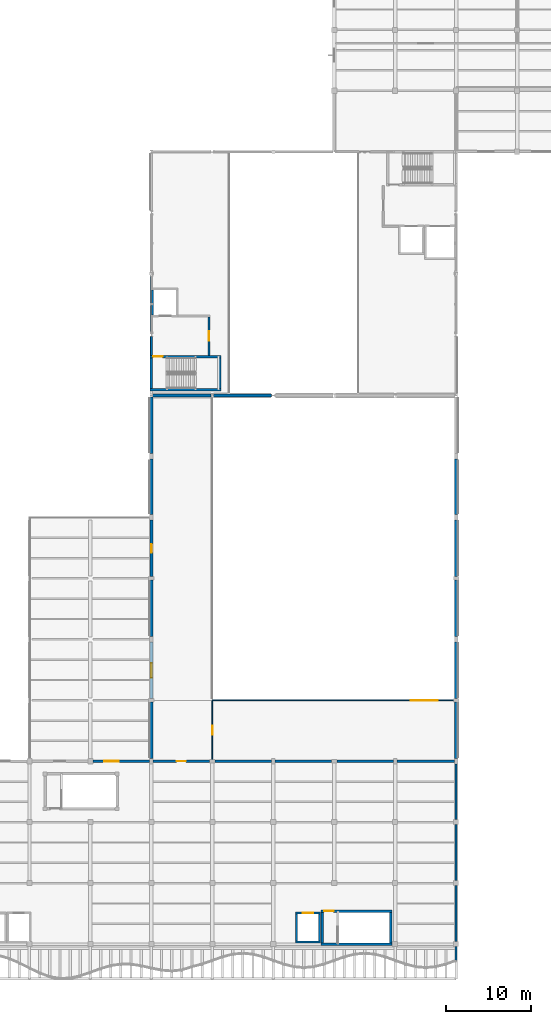
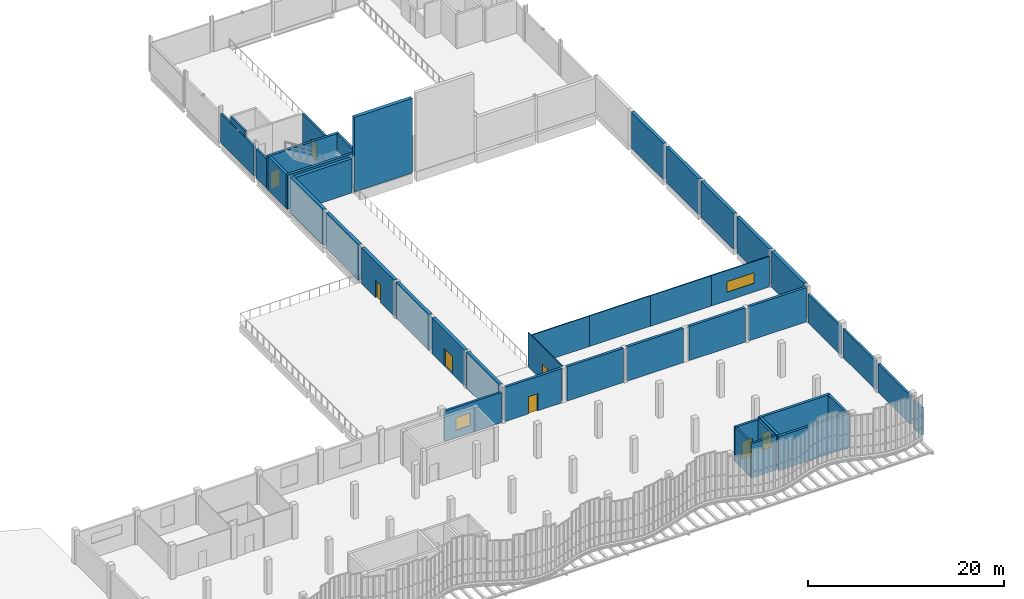
# One storey, part 67 of 76: 44 walls, 8 doors, 2 windows, 10 openings.
"""IFC4 building model written with IfcOpenShell, lengths in metres."""

from ifc_helpers import new_model, si_unit, direction, frame, frame_2d, origin, place, context, subcontext, project, spatial, rectangle, extrude, material, layer, layer_set, type_object, element, fill, save


model = new_model("IFC4")

# Units and contexts
model_context = context("Model", 3, precision=1e-05, world=origin(), true_north=direction((0.0, 1.0)))
body_context = subcontext(model_context, "Body", "Model", "MODEL_VIEW")
ifc_project = project(units=[si_unit("LENGTHUNIT", "METRE"), si_unit("AREAUNIT", "SQUARE_METRE"), si_unit("VOLUMEUNIT", "CUBIC_METRE"), si_unit("PLANEANGLEUNIT", "RADIAN"), si_unit("MASSUNIT", "GRAM", prefix="KILO"), si_unit("THERMODYNAMICTEMPERATUREUNIT", "KELVIN"), si_unit("POWERUNIT", "WATT")], contexts=[model_context])

# Site, building, storey
site_placement = place(None, origin())
site = spatial("IfcSite", under=ifc_project, at=site_placement, CompositionType="ELEMENT")
building_placement = place(site_placement, origin())
building = spatial("IfcBuilding", under=site, at=building_placement, Name="Kaldorven Railside Theatre", CompositionType="ELEMENT")
storey_placement = place(building_placement, frame((0.0, 0.0, 14.39990234375)))
storey = spatial("IfcBuildingStorey", under=building, at=storey_placement, Name="L03", CompositionType="ELEMENT", Elevation=14.39990234375)

# Wall
ifc_material_1 = material(Name="Architectural concrete C40/50", Category="concrete")
ifc_layer_1 = layer(ifc_material_1, 0.3798828125, Name="Architectural concrete C40/50")
ifc_layer_set_1 = layer_set([ifc_layer_1], Name="Architectural concrete C40/50")
wall_type_1 = type_object("IfcWallType", Name="WL-EW02", PredefinedType="SHEAR", material=ifc_layer_set_1)
wall_1_placement = place(storey_placement, frame((87.199951171875, 41.125, 0.0), z_axis=(0.0, 0.0, 1.0), x_axis=(0.0, 1.0, 0.0)))
element("IfcWall", 1, at=wall_1_placement, inside=storey, type_object=wall_type_1, Name="V1 L03 Exterior Wall EW-0257", PredefinedType="SHEAR", context=body_context, shape_type="SweptSolid", body=[
    extrude(rectangle(XDim=6.675048828125, YDim=0.3798828125, at=frame_2d((3.33740234375, 0.0))), origin(), (0.0, 0.0, 1.0), 4.5),
])

# Wall, opening, door
wall_2_placement = place(storey_placement, frame((87.199951171875, 48.199951171875, 0.0), z_axis=(0.0, 0.0, 1.0), x_axis=(0.0, 1.0, 0.0)))
wall_2 = element("IfcWall", 2, at=wall_2_placement, inside=storey, type_object=wall_type_1, Name="V1 L03 Exterior Wall EW-0258", PredefinedType="SHEAR", context=body_context, shape_type="SweptSolid", body=[
    extrude(rectangle(XDim=6.675048828125, YDim=0.3798828125, at=frame_2d((3.33740234375, 0.0))), origin(), (0.0, 0.0, 1.0), 4.5),
])
opening_1_placement = place(wall_2_placement, frame((2.487548828125, 0.0, 0.0)))
opening_1 = element("IfcOpeningElement", 3, at=opening_1_placement, cuts=wall_2, Name="Opening ED-014", PredefinedType="OPENING", context=body_context, shape_type="SweptSolid", body=[
    extrude(rectangle(XDim=1.699951171875, YDim=2.199951171875, at=frame_2d((0.85009765625, 1.10009765625))), frame((0.0, 0.199951171875, 0.0), z_axis=(0.0, -1.0, 0.0), x_axis=(1.0, 0.0, 0.0)), (0.0, 0.0, 1.0), 0.39990234375),
])
ifc_material_2 = material(Name="Anodised bronze aluminium", Category="aluminium")
door_type_1 = type_object("IfcDoorType", Name="DR-ED06", OperationType="NOTDEFINED", PredefinedType="DOOR", material=ifc_material_2)
door_1_placement = place(opening_1_placement, origin())
door_1 = element("IfcDoor", 4, at=door_1_placement, inside=storey, type_object=door_type_1, Name="Overlook Terrace Access Door ED-014", OperationType="DOUBLE_DOOR_SINGLE_SWING", OverallHeight=2.199951171875, OverallWidth=1.699951171875, PredefinedType="DOOR", context=body_context, shape_type="SweptSolid", body=[
    extrude(rectangle(XDim=1.699951171875, YDim=2.199951171875, at=frame_2d((0.85009765625, 1.10009765625))), frame((0.0, 0.02490234375, 0.0), z_axis=(0.0, -1.0, 0.0), x_axis=(1.0, 0.0, 0.0)), (0.0, 0.0, 1.0), 0.050048828125),
])
fill(opening_1, door_1)

# Wall
wall_3_placement = place(storey_placement, frame((87.199951171875, 55.52490234375, 0.0), z_axis=(0.0, 0.0, 1.0), x_axis=(0.0, 1.0, 0.0)))
element("IfcWall", 5, at=wall_3_placement, inside=storey, type_object=wall_type_1, Name="V1 L03 Exterior Wall EW-0259", PredefinedType="SHEAR", context=body_context, shape_type="SweptSolid", body=[
    extrude(rectangle(XDim=6.675048828125, YDim=0.3798828125, at=frame_2d((3.33740234375, 0.0))), origin(), (0.0, 0.0, 1.0), 4.5),
])

# Wall, opening, door
wall_4_placement = place(storey_placement, frame((87.199951171875, 62.60009765625, 0.0), z_axis=(0.0, 0.0, 1.0), x_axis=(0.0, 1.0, 0.0)))
wall_4 = element("IfcWall", 6, at=wall_4_placement, inside=storey, type_object=wall_type_1, Name="V1 L03 Exterior Wall EW-0260", PredefinedType="SHEAR", context=body_context, shape_type="SweptSolid", body=[
    extrude(rectangle(XDim=6.6748046875, YDim=0.3798828125, at=frame_2d((3.33740234375, 0.0))), origin(), (0.0, 0.0, 1.0), 4.5),
])
opening_2_placement = place(wall_4_placement, frame((2.83740234375, 0.0, 0.0)))
opening_2 = element("IfcOpeningElement", 7, at=opening_2_placement, cuts=wall_4, Name="Opening ED-015", PredefinedType="OPENING", context=body_context, shape_type="SweptSolid", body=[
    extrude(rectangle(XDim=1.0, YDim=2.14990234375, at=frame_2d((0.5, 1.074951171875))), frame((0.0, 0.199951171875, 0.0), z_axis=(0.0, -1.0, 0.0), x_axis=(1.0, 0.0, 0.0)), (0.0, 0.0, 1.0), 0.39990234375),
])
door_type_2 = type_object("IfcDoorType", Name="DR-ED10", OperationType="NOTDEFINED", PredefinedType="DOOR", material=ifc_material_2)
door_2_placement = place(opening_2_placement, origin())
door_2 = element("IfcDoor", 8, at=door_2_placement, inside=storey, type_object=door_type_2, Name="Overlook Terrace Access Door ED-015", OperationType="SINGLE_SWING_RIGHT", OverallHeight=2.14990234375, OverallWidth=1.0, PredefinedType="DOOR", context=body_context, shape_type="SweptSolid", body=[
    extrude(rectangle(XDim=1.0, YDim=2.14990234375, at=frame_2d((0.5, 1.074951171875))), frame((0.0, 0.02490234375, 0.0), z_axis=(0.0, -1.0, 0.0), x_axis=(1.0, 0.0, 0.0)), (0.0, 0.0, 1.0), 0.050048828125),
])
fill(opening_2, door_2)

# Walls
wall_5_placement = place(storey_placement, frame((87.199951171875, 69.925048828125, 0.0), z_axis=(0.0, 0.0, 1.0), x_axis=(0.0, 1.0, 0.0)))
element("IfcWall", 9, at=wall_5_placement, inside=storey, type_object=wall_type_1, Name="V1 L03 Exterior Wall EW-0261", PredefinedType="SHEAR", context=body_context, shape_type="SweptSolid", body=[
    extrude(rectangle(XDim=6.550048828125, YDim=0.3798828125, at=frame_2d((3.27490234375, 0.0))), origin(), (0.0, 0.0, 1.0), 4.5),
])
wall_6_placement = place(storey_placement, frame((87.199951171875, 77.125, 0.0), z_axis=(0.0, 0.0, 1.0), x_axis=(0.0, 1.0, 0.0)))
element("IfcWall", 10, at=wall_6_placement, inside=storey, type_object=wall_type_1, Name="V1 L03 Exterior Wall EW-0262", PredefinedType="SHEAR", context=body_context, shape_type="SweptSolid", body=[
    extrude(rectangle(XDim=6.720458984375, YDim=0.3798828125, at=frame_2d((3.3603515625, 0.0))), origin(), (0.0, 0.0, 1.0), 4.5),
])
wall_7_placement = place(storey_placement, frame((123.199951171875, 76.47509765625, 0.0), z_axis=(0.0, 0.0, 1.0), x_axis=(0.0, -1.0, 0.0)))
element("IfcWall", 11, at=wall_7_placement, inside=storey, type_object=wall_type_1, Name="V1 L03 Exterior Wall EW-0264", PredefinedType="SHEAR", context=body_context, shape_type="SweptSolid", body=[
    extrude(rectangle(XDim=6.550048828125, YDim=0.3798828125, at=frame_2d((3.27490234375, 0.0))), origin(), (0.0, 0.0, 1.0), 4.5),
])
wall_8_placement = place(storey_placement, frame((123.199951171875, 69.27490234375, 0.0), z_axis=(0.0, 0.0, 1.0), x_axis=(0.0, -1.0, 0.0)))
element("IfcWall", 12, at=wall_8_placement, inside=storey, type_object=wall_type_1, Name="V1 L03 Exterior Wall EW-0265", PredefinedType="SHEAR", context=body_context, shape_type="SweptSolid", body=[
    extrude(rectangle(XDim=6.6748046875, YDim=0.3798828125, at=frame_2d((3.33740234375, 0.0))), origin(), (0.0, 0.0, 1.0), 4.5),
])
for number, where, z_axis, x_axis, name in (
    (13, (123.199951171875, 62.199951171875, 0.0), (0.0, 0.0, 1.0), (0.0, -1.0, 0.0), "V1 L03 Exterior Wall EW-0266"),
    (14, (123.199951171875, 54.875, 0.0), (0.0, 0.0, 1.0), (0.0, -1.0, 0.0), "V1 L03 Exterior Wall EW-0267"),
    (15, (123.199951171875, 47.800048828125, 0.0), (0.0, 0.0, 1.0), (0.0, -1.0, 0.0), "V1 L03 Exterior Wall EW-0268"),
):
    element("IfcWall", number, at=place(storey_placement, frame(where, z_axis=z_axis, x_axis=x_axis)), inside=storey, type_object=wall_type_1, Name=name, PredefinedType="SHEAR", context=body_context, shape_type="SweptSolid", body=[
        extrude(rectangle(XDim=6.675048828125, YDim=0.3798828125, at=frame_2d((3.33740234375, 0.0))), origin(), (0.0, 0.0, 1.0), 4.5),
    ])
ifc_material_3 = material(Name="Precast concrete C40/50", Category="concrete")
ifc_layer_2 = layer(ifc_material_3, 0.25, Name="Precast concrete C40/50")
ifc_layer_set_2 = layer_set([ifc_layer_2], Name="Precast concrete C40/50")
wall_type_2 = type_object("IfcWallType", Name="WL-EW06", PredefinedType="SOLIDWALL", material=ifc_layer_set_2)
wall_9_placement = place(storey_placement, frame((123.199951171875, 40.47509765625, 0.0), z_axis=(0.0, 0.0, 1.0), x_axis=(0.0, -1.0, 0.0)))
element("IfcWall", 16, at=wall_9_placement, inside=storey, type_object=wall_type_2, Name="V5 L03 Exterior Wall EW-0229", PredefinedType="SOLIDWALL", context=body_context, shape_type="SweptSolid", body=[
    extrude(rectangle(XDim=6.5751953125, YDim=0.25, at=frame_2d((3.28759765625, 0.0))), origin(), (0.0, 0.0, 1.0), 3.5751953125),
])
for number, where, z_axis, x_axis, name in (
    (17, (123.199951171875, 33.300048828125, 0.0), (0.0, 0.0, 1.0), (0.0, -1.0, 0.0), "V5 L03 Exterior Wall EW-0230"),
    (18, (123.199951171875, 26.10009765625, 0.0), (0.0, 0.0, 1.0), (0.0, -1.0, 0.0), "V5 L03 Exterior Wall EW-0231"),
):
    element("IfcWall", number, at=place(storey_placement, frame(where, z_axis=z_axis, x_axis=x_axis)), inside=storey, type_object=wall_type_2, Name=name, PredefinedType="SOLIDWALL", context=body_context, shape_type="SweptSolid", body=[
        extrude(rectangle(XDim=6.60009765625, YDim=0.25, at=frame_2d((3.300048828125, 0.0))), origin(), (0.0, 0.0, 1.0), 3.5751953125),
    ])

# Wall, opening, window
wall_10_placement = place(storey_placement, frame((80.300048828125, 40.800048828125, 0.0), z_axis=(0.0, 0.0, 1.0), x_axis=(1.0, 0.0, 0.0)))
wall_10 = element("IfcWall", 19, at=wall_10_placement, inside=storey, type_object=wall_type_2, Name="V5N3 L03 Exterior Wall EW-0238", PredefinedType="SOLIDWALL", context=body_context, shape_type="SweptSolid", body=[
    extrude(rectangle(XDim=6.699951171875, YDim=0.25, at=frame_2d((3.35009765625, 0.0))), origin(), (0.0, 0.0, 1.0), 3.775146484375),
])
opening_3_placement = place(wall_10_placement, frame((1.35009765625, 0.0, 0.89990234375)))
opening_3 = element("IfcOpeningElement", 20, at=opening_3_placement, cuts=wall_10, Name="Opening WN-047", PredefinedType="OPENING", context=body_context, shape_type="SweptSolid", body=[
    extrude(rectangle(XDim=1.699951171875, YDim=1.60009765625, at=frame_2d((0.85009765625, 0.800048828125))), frame((0.0, 0.135009765625, 0.0), z_axis=(0.0, -1.0, 0.0), x_axis=(1.0, 0.0, 0.0)), (0.0, 0.0, 1.0), 0.27001953125),
])
ifc_material_4 = material(Name="Low-E laminated solar-control glass", Category="glass")
window_type_1 = type_object("IfcWindowType", Name="WN-EW22", PartitioningType="SINGLE_PANEL", PredefinedType="WINDOW", material=ifc_material_4)
window_1_placement = place(opening_3_placement, origin())
window_1 = element("IfcWindow", 21, at=window_1_placement, inside=storey, type_object=window_type_1, Name="Shaded Acoustic Exterior Window WN-047", OverallHeight=1.60009765625, OverallWidth=1.699951171875, PartitioningType="SINGLE_PANEL", PredefinedType="WINDOW", context=body_context, shape_type="SweptSolid", body=[
    extrude(rectangle(XDim=1.699951171875, YDim=1.60009765625, at=frame_2d((0.85009765625, 0.800048828125))), frame((0.0, 0.030029296875, 0.0), z_axis=(0.0, -1.0, 0.0), x_axis=(1.0, 0.0, 0.0)), (0.0, 0.0, 1.0), 0.06005859375),
])
fill(opening_3, window_1)

# Walls
wall_11_placement = place(storey_placement, frame((123.199951171875, 17.25, 0.0), z_axis=(0.0, 0.0, 1.0), x_axis=(0.0, 1.0, 0.0)))
element("IfcWall", 22, at=wall_11_placement, inside=storey, type_object=wall_type_2, Name="L03 Sinusoidal Foyer E End Return Wall EW-0475", PredefinedType="SOLIDWALL", context=body_context, shape_type="SweptSolid", body=[
    extrude(rectangle(XDim=1.64990234375, YDim=0.25, at=frame_2d((0.824951171875, 0.0))), origin(), (0.0, 0.0, 1.0), 3.43505859375),
])
ifc_layer_3 = layer(ifc_material_3, 0.219970703125, Name="Precast concrete C40/50")
ifc_layer_set_3 = layer_set([ifc_layer_3], Name="Precast concrete C40/50")
wall_type_3 = type_object("IfcWallType", Name="WL-EW07", PredefinedType="SOLIDWALL", material=ifc_layer_set_3)
wall_12_placement = place(storey_placement, frame((87.199951171875, 88.75, 0.0), z_axis=(0.0, 0.0, 1.0), x_axis=(0.0, 1.0, 0.0)))
element("IfcWall", 23, at=wall_12_placement, inside=storey, type_object=wall_type_3, Name="V2 L03 Exterior Wall EW-0305", PredefinedType="SOLIDWALL", context=body_context, shape_type="SweptSolid", body=[
    extrude(rectangle(XDim=2.25, YDim=0.219970703125, at=frame_2d((1.125, 0.0))), origin(), (0.0, 0.0, 1.0), 3.655029296875),
])
wall_13_placement = place(storey_placement, frame((87.199951171875, 91.39990234375, 0.0), z_axis=(0.0, 0.0, 1.0), x_axis=(0.0, 1.0, 0.0)))
element("IfcWall", 24, at=wall_13_placement, inside=storey, type_object=wall_type_3, Name="V2 L03 Exterior Wall EW-0306", PredefinedType="SOLIDWALL", context=body_context, shape_type="SweptSolid", body=[
    extrude(rectangle(XDim=6.85009765625, YDim=0.219970703125, at=frame_2d((3.425048828125, 0.0))), origin(), (0.0, 0.0, 1.0), 3.655029296875),
])
ifc_material_5 = material(Name="Concrete C40/50", Category="concrete")
ifc_layer_4 = layer(ifc_material_5, 0.300048828125, Name="Concrete C40/50")
ifc_layer_set_4 = layer_set([ifc_layer_4], Name="Concrete C40/50")
wall_type_4 = type_object("IfcWallType", Name="WL-IW-CORE", PredefinedType="SHEAR", material=ifc_layer_set_4)
wall_14_placement = place(storey_placement, frame((115.64990234375, 19.199951171875, 0.0), z_axis=(0.0, 0.0, 1.0), x_axis=(-1.0, 0.0, 0.0)))
element("IfcWall", 25, at=wall_14_placement, inside=storey, type_object=wall_type_4, Name="L03 Core Wall CW-0105", PredefinedType="SHEAR", context=body_context, shape_type="SweptSolid", body=[
    extrude(rectangle(XDim=8.39990234375, YDim=0.300048828125, at=frame_2d((4.199951171875, 0.0))), origin(), (0.0, 0.0, 1.0), 4.280029296875),
])
wall_15_placement = place(storey_placement, frame((107.39990234375, 19.35205078125, 0.0), z_axis=(0.0, 0.0, 1.0), x_axis=(0.0, 1.0, 0.0)))
element("IfcWall", 26, at=wall_15_placement, inside=storey, type_object=wall_type_4, Name="L03 Core Wall CW-0106", PredefinedType="SHEAR", context=body_context, shape_type="SweptSolid", body=[
    extrude(rectangle(XDim=3.597900390625, YDim=0.300048828125, at=frame_2d((1.798828125, 0.0))), origin(), (0.0, 0.0, 1.0), 4.280029296875),
])

# Wall, opening, door
wall_16_placement = place(storey_placement, frame((107.25, 23.10009765625, 0.0), z_axis=(0.0, 0.0, 1.0), x_axis=(1.0, 0.0, 0.0)))
wall_16 = element("IfcWall", 27, at=wall_16_placement, inside=storey, type_object=wall_type_4, Name="L03 Core Wall CW-0107", PredefinedType="SHEAR", context=body_context, shape_type="SweptSolid", body=[
    extrude(rectangle(XDim=8.39990234375, YDim=0.300048828125, at=frame_2d((4.199951171875, 0.0))), origin(), (0.0, 0.0, 1.0), 4.280029296875),
])
opening_4_placement = place(wall_16_placement, frame((0.3701171875, 0.0, 0.0)))
opening_4 = element("IfcOpeningElement", 28, at=opening_4_placement, cuts=wall_16, Name="Opening ID-0017", PredefinedType="OPENING", context=body_context, shape_type="SweptSolid", body=[
    extrude(rectangle(XDim=1.10009765625, YDim=2.14990234375, at=frame_2d((0.550048828125, 1.074951171875))), frame((0.0, 0.16015625, 0.0), z_axis=(0.0, -1.0, 0.0), x_axis=(1.0, 0.0, 0.0)), (0.0, 0.0, 1.0), 0.320068359375),
])
ifc_material_6 = material(Name="Acoustic hardwood timber", Category="wood")
door_type_3 = type_object("IfcDoorType", Name="DR-ID-FD60", OperationType="NOTDEFINED", PredefinedType="DOOR", material=ifc_material_6)
door_3_placement = place(opening_4_placement, origin())
door_3 = element("IfcDoor", 29, at=door_3_placement, inside=storey, type_object=door_type_3, Name="Stair ST-04 Fire Door", OperationType="SINGLE_SWING_LEFT", OverallHeight=2.14990234375, OverallWidth=1.10009765625, PredefinedType="DOOR", context=body_context, shape_type="SweptSolid", body=[
    extrude(rectangle(XDim=1.10009765625, YDim=2.14990234375, at=frame_2d((0.550048828125, 1.074951171875))), frame((0.0, 0.02490234375, 0.0), z_axis=(0.0, -1.0, 0.0), x_axis=(1.0, 0.0, 0.0)), (0.0, 0.0, 1.0), 0.050048828125),
])
fill(opening_4, door_3)

# Walls
wall_17_placement = place(storey_placement, frame((115.5, 22.947998046875, 0.0), z_axis=(0.0, 0.0, 1.0), x_axis=(0.0, -1.0, 0.0)))
element("IfcWall", 30, at=wall_17_placement, inside=storey, type_object=wall_type_4, Name="L03 Core Wall CW-0108", PredefinedType="SHEAR", context=body_context, shape_type="SweptSolid", body=[
    extrude(rectangle(XDim=3.595947265625, YDim=0.300048828125, at=frame_2d((1.7978515625, 0.0))), origin(), (0.0, 0.0, 1.0), 4.280029296875),
])
wall_18_placement = place(storey_placement, frame((95.449951171875, 84.699951171875, 0.0), z_axis=(0.0, 0.0, 1.0), x_axis=(-1.0, 0.0, 0.0)))
element("IfcWall", 31, at=wall_18_placement, inside=storey, type_object=wall_type_4, Name="L03 Core Wall CW-0145", PredefinedType="SHEAR", context=body_context, shape_type="SweptSolid", body=[
    extrude(rectangle(XDim=8.39990234375, YDim=0.300048828125, at=frame_2d((4.199951171875, 0.0))), origin(), (0.0, 0.0, 1.0), 4.260009765625),
])
wall_19_placement = place(storey_placement, frame((87.199951171875, 84.85205078125, 0.0), z_axis=(0.0, 0.0, 1.0), x_axis=(0.0, 1.0, 0.0)))
element("IfcWall", 32, at=wall_19_placement, inside=storey, type_object=wall_type_4, Name="L03 Core Wall CW-0146", PredefinedType="SHEAR", context=body_context, shape_type="SweptSolid", body=[
    extrude(rectangle(XDim=3.597900390625, YDim=0.300048828125, at=frame_2d((1.798828125, 0.0))), origin(), (0.0, 0.0, 1.0), 4.260009765625),
])

# Wall, opening, door
wall_20_placement = place(storey_placement, frame((87.050048828125, 88.60009765625, 0.0), z_axis=(0.0, 0.0, 1.0), x_axis=(1.0, 0.0, 0.0)))
wall_20 = element("IfcWall", 33, at=wall_20_placement, inside=storey, type_object=wall_type_4, Name="L03 Core Wall CW-0147", PredefinedType="SHEAR", context=body_context, shape_type="SweptSolid", body=[
    extrude(rectangle(XDim=8.39990234375, YDim=0.300048828125, at=frame_2d((4.199951171875, 0.0))), origin(), (0.0, 0.0, 1.0), 4.260009765625),
])
opening_5_placement = place(wall_20_placement, frame((0.3701171875, 0.0, 0.0)))
opening_5 = element("IfcOpeningElement", 34, at=opening_5_placement, cuts=wall_20, Name="Opening ID-0022", PredefinedType="OPENING", context=body_context, shape_type="SweptSolid", body=[
    extrude(rectangle(XDim=1.10009765625, YDim=2.14990234375, at=frame_2d((0.550048828125, 1.074951171875))), frame((0.0, 0.16015625, 0.0), z_axis=(0.0, -1.0, 0.0), x_axis=(1.0, 0.0, 0.0)), (0.0, 0.0, 1.0), 0.320068359375),
])
door_4_placement = place(opening_5_placement, origin())
door_4 = element("IfcDoor", 35, at=door_4_placement, inside=storey, type_object=door_type_3, Name="Stair ST-05 Fire Door", OperationType="SINGLE_SWING_RIGHT", OverallHeight=2.14990234375, OverallWidth=1.10009765625, PredefinedType="DOOR", context=body_context, shape_type="SweptSolid", body=[
    extrude(rectangle(XDim=1.10009765625, YDim=2.14990234375, at=frame_2d((0.550048828125, 1.074951171875))), frame((0.0, 0.02490234375, 0.0), z_axis=(0.0, -1.0, 0.0), x_axis=(1.0, 0.0, 0.0)), (0.0, 0.0, 1.0), 0.050048828125),
])
fill(opening_5, door_4)

# Wall
wall_21_placement = place(storey_placement, frame((95.300048828125, 88.447998046875, 0.0), z_axis=(0.0, 0.0, 1.0), x_axis=(0.0, -1.0, 0.0)))
element("IfcWall", 36, at=wall_21_placement, inside=storey, type_object=wall_type_4, Name="L03 Core Wall CW-0148", PredefinedType="SHEAR", context=body_context, shape_type="SweptSolid", body=[
    extrude(rectangle(XDim=3.595947265625, YDim=0.300048828125, at=frame_2d((1.7978515625, 0.0))), origin(), (0.0, 0.0, 1.0), 4.260009765625),
])

# Wall, opening, door
wall_22_placement = place(storey_placement, frame((87.39990234375, 40.800048828125, 0.0), z_axis=(0.0, 0.0, 1.0), x_axis=(1.0, 0.0, 0.0)))
wall_22 = element("IfcWall", 37, at=wall_22_placement, inside=storey, type_object=wall_type_4, Name="L03 Interior Wall AW-0383", PredefinedType="SHEAR", context=body_context, shape_type="SweptSolid", body=[
    extrude(rectangle(XDim=6.675048828125, YDim=0.300048828125, at=frame_2d((3.33740234375, 0.0))), origin(), (0.0, 0.0, 1.0), 4.280029296875),
])
opening_6_placement = place(wall_22_placement, frame((2.78759765625, 0.0, 0.0)))
opening_6 = element("IfcOpeningElement", 38, at=opening_6_placement, cuts=wall_22, Name="Opening ID-0078", PredefinedType="OPENING", context=body_context, shape_type="SweptSolid", body=[
    extrude(rectangle(XDim=1.10009765625, YDim=2.14990234375, at=frame_2d((0.550048828125, 1.074951171875))), frame((0.0, 0.16015625, 0.0), z_axis=(0.0, -1.0, 0.0), x_axis=(1.0, 0.0, 0.0)), (0.0, 0.0, 1.0), 0.320068359375),
])
door_5_placement = place(opening_6_placement, origin())
door_5 = element("IfcDoor", 39, at=door_5_placement, inside=storey, type_object=door_type_3, Name="L03 Followspot Gallery Door", OperationType="SINGLE_SWING_RIGHT", OverallHeight=2.14990234375, OverallWidth=1.10009765625, PredefinedType="DOOR", context=body_context, shape_type="SweptSolid", body=[
    extrude(rectangle(XDim=1.10009765625, YDim=2.14990234375, at=frame_2d((0.550048828125, 1.074951171875))), frame((0.0, 0.02490234375, 0.0), z_axis=(0.0, -1.0, 0.0), x_axis=(1.0, 0.0, 0.0)), (0.0, 0.0, 1.0), 0.050048828125),
])
fill(opening_6, door_5)

# Walls
wall_23_placement = place(storey_placement, frame((94.72509765625, 40.800048828125, 0.0), z_axis=(0.0, 0.0, 1.0), x_axis=(1.0, 0.0, 0.0)))
element("IfcWall", 40, at=wall_23_placement, inside=storey, type_object=wall_type_4, Name="L03 Interior Wall AW-0384", PredefinedType="SHEAR", context=body_context, shape_type="SweptSolid", body=[
    extrude(rectangle(XDim=6.6748046875, YDim=0.300048828125, at=frame_2d((3.33740234375, 0.0))), origin(), (0.0, 0.0, 1.0), 4.280029296875),
])
for number, where, z_axis, x_axis, name in (
    (41, (101.800048828125, 40.800048828125, 0.0), (0.0, 0.0, 1.0), (1.0, 0.0, 0.0), "L03 Interior Wall AW-0385"),
    (42, (109.125, 40.800048828125, 0.0), (0.0, 0.0, 1.0), (1.0, 0.0, 0.0), "L03 Interior Wall AW-0386"),
):
    element("IfcWall", number, at=place(storey_placement, frame(where, z_axis=z_axis, x_axis=x_axis)), inside=storey, type_object=wall_type_4, Name=name, PredefinedType="SHEAR", context=body_context, shape_type="SweptSolid", body=[
        extrude(rectangle(XDim=6.675048828125, YDim=0.300048828125, at=frame_2d((3.33740234375, 0.0))), origin(), (0.0, 0.0, 1.0), 4.280029296875),
    ])
wall_24_placement = place(storey_placement, frame((116.199951171875, 40.800048828125, 0.0), z_axis=(0.0, 0.0, 1.0), x_axis=(1.0, 0.0, 0.0)))
element("IfcWall", 43, at=wall_24_placement, inside=storey, type_object=wall_type_4, Name="L03 Interior Wall AW-0387", PredefinedType="SHEAR", context=body_context, shape_type="SweptSolid", body=[
    extrude(rectangle(XDim=6.800048828125, YDim=0.300048828125, at=frame_2d((3.39990234375, 0.0))), origin(), (0.0, 0.0, 1.0), 4.280029296875),
])

# Wall, opening, door
ifc_material_7 = material(Name="Concrete C35/45", Category="concrete")
ifc_layer_5 = layer(ifc_material_7, 0.199951171875, Name="Concrete C35/45")
ifc_layer_set_5 = layer_set([ifc_layer_5], Name="Concrete C35/45")
wall_type_5 = type_object("IfcWallType", Name="WL-IW-FF", PredefinedType="PARTITIONING", material=ifc_layer_set_5)
wall_25_placement = place(storey_placement, frame((94.0, 93.298095703125, 0.0), z_axis=(0.0, 0.0, 1.0), x_axis=(0.0, -1.0, 0.0)))
wall_25 = element("IfcWall", 44, at=wall_25_placement, inside=storey, type_object=wall_type_5, Name="L03 Interior Wall FFW-0192", PredefinedType="PARTITIONING", context=body_context, shape_type="SweptSolid", body=[
    extrude(rectangle(XDim=4.546142578125, YDim=0.199951171875, at=frame_2d((2.27294921875, 0.0))), origin(), (0.0, 0.0, 1.0), 4.260009765625),
])
opening_7_placement = place(wall_25_placement, frame((1.697998046875, 0.0, 0.0)))
opening_7 = element("IfcOpeningElement", 45, at=opening_7_placement, cuts=wall_25, Name="Opening ID-0029", PredefinedType="OPENING", context=body_context, shape_type="SweptSolid", body=[
    extrude(rectangle(XDim=1.14990234375, YDim=2.14990234375, at=frame_2d((0.574951171875, 1.074951171875))), frame((0.0, 0.10986328125, 0.0), z_axis=(0.0, -1.0, 0.0), x_axis=(1.0, 0.0, 0.0)), (0.0, 0.0, 1.0), 0.219970703125),
])
ifc_material_8 = material(Name="Powder-coated hollow-metal steel", Category="steel")
door_type_4 = type_object("IfcDoorType", Name="DR-ID-FD120", OperationType="NOTDEFINED", PredefinedType="DOOR", material=ifc_material_8)
door_6_placement = place(opening_7_placement, origin())
door_6 = element("IfcDoor", 46, at=door_6_placement, inside=storey, type_object=door_type_4, Name="Firefighting Lobby C-STW Door", OperationType="SINGLE_SWING_LEFT", OverallHeight=2.14990234375, OverallWidth=1.14990234375, PredefinedType="DOOR", context=body_context, shape_type="SweptSolid", body=[
    extrude(rectangle(XDim=1.14990234375, YDim=2.14990234375, at=frame_2d((0.574951171875, 1.074951171875))), frame((0.0, 0.02490234375, 0.0), z_axis=(0.0, -1.0, 0.0), x_axis=(1.0, 0.0, 0.0)), (0.0, 0.0, 1.0), 0.050048828125),
])
fill(opening_7, door_6)

# Walls
ifc_layer_6 = layer(ifc_material_5, 0.39990234375, Name="Concrete C40/50")
ifc_layer_set_6 = layer_set([ifc_layer_6], Name="Concrete C40/50")
wall_type_6 = type_object("IfcWallType", Name="WL-IW-PROSC", PredefinedType="SHEAR", material=ifc_layer_set_6)
wall_26_placement = place(storey_placement, frame((87.3603515625, 84.0, 0.0), z_axis=(0.0, 0.0, 1.0), x_axis=(1.0, 0.0, 0.0)))
element("IfcWall", 47, at=wall_26_placement, inside=storey, type_object=wall_type_6, Name="L03 Interior Wall PW-0378", PredefinedType="SHEAR", context=body_context, shape_type="SweptSolid", body=[
    extrude(rectangle(XDim=6.8896484375, YDim=0.39990234375, at=frame_2d((3.44482421875, 0.0))), origin(), (0.0, 0.0, 1.0), 4.260009765625),
])
wall_27_placement = place(storey_placement, frame((94.550048828125, 84.0, 0.0), z_axis=(0.0, 0.0, 1.0), x_axis=(1.0, 0.0, 0.0)))
element("IfcWall", 48, at=wall_27_placement, inside=storey, type_object=wall_type_6, Name="L03 Interior Wall PW-0379", PredefinedType="SHEAR", context=body_context, shape_type="SweptSolid", body=[
    extrude(rectangle(XDim=6.849853515625, YDim=0.39990234375, at=frame_2d((3.4248046875, 0.0))), origin(), (0.0, 0.0, 1.0), 9.31787109375),
])

# Wall, opening, window
ifc_material_9 = material(Name="Fire-rated acoustic gypsum board")
ifc_layer_7 = layer(ifc_material_9, 0.1201171875, Name="Fire-rated acoustic gypsum board")
ifc_layer_set_7 = layer_set([ifc_layer_7], Name="Fire-rated acoustic gypsum board")
wall_type_7 = type_object("IfcWallType", Name="WL-IW-PT1", PredefinedType="PARTITIONING", material=ifc_layer_set_7)
wall_28_placement = place(storey_placement, frame((122.875, 48.0, 0.0), z_axis=(0.0, 0.0, 1.0), x_axis=(-1.0, 0.0, 0.0)))
wall_28 = element("IfcWall", 49, at=wall_28_placement, inside=storey, type_object=wall_type_7, Name="L03 Interior Wall IW-0638", PredefinedType="PARTITIONING", context=body_context, shape_type="SweptSolid", body=[
    extrude(rectangle(XDim=6.875, YDim=0.1201171875, at=frame_2d((3.4375, 0.0))), origin(), (0.0, 0.0, 1.0), 3.814453125),
])
opening_8_placement = place(wall_28_placement, frame((1.83740234375, 0.0, 1.10009765625)))
opening_8 = element("IfcOpeningElement", 50, at=opening_8_placement, cuts=wall_28, Name="Opening IWN-024", PredefinedType="OPENING", context=body_context, shape_type="SweptSolid", body=[
    extrude(rectangle(XDim=3.199951171875, YDim=1.300048828125, at=frame_2d((1.60009765625, 0.64990234375))), frame((0.0, 0.070068359375, 0.0), z_axis=(0.0, -1.0, 0.0), x_axis=(1.0, 0.0, 0.0)), (0.0, 0.0, 1.0), 0.14013671875),
])
window_type_2 = type_object("IfcWindowType", Name="WN-IW08", PartitioningType="SINGLE_PANEL", PredefinedType="WINDOW", material=ifc_material_4)
window_2_placement = place(opening_8_placement, origin())
window_2 = element("IfcWindow", 51, at=window_2_placement, inside=storey, type_object=window_type_2, Name="Acoustic Observation Window IWN-024", OverallHeight=1.300048828125, OverallWidth=3.199951171875, PartitioningType="SINGLE_PANEL", PredefinedType="WINDOW", context=body_context, shape_type="SweptSolid", body=[
    extrude(rectangle(XDim=3.199951171875, YDim=1.300048828125, at=frame_2d((1.60009765625, 0.64990234375))), frame((0.0, 0.030029296875, 0.0), z_axis=(0.0, -1.0, 0.0), x_axis=(1.0, 0.0, 0.0)), (0.0, 0.0, 1.0), 0.06005859375),
])
fill(opening_8, window_2)

# Walls
for number, where, z_axis, x_axis, name in (
    (52, (116.0, 48.0, 0.0), (0.0, 0.0, 1.0), (-1.0, 0.0, 0.0), "L03 Interior Wall IW-0639"),
    (53, (108.800048828125, 48.0, 0.0), (0.0, 0.0, 1.0), (-1.0, 0.0, 0.0), "L03 Interior Wall IW-0640"),
):
    element("IfcWall", number, at=place(storey_placement, frame(where, z_axis=z_axis, x_axis=x_axis)), inside=storey, type_object=wall_type_7, Name=name, PredefinedType="PARTITIONING", context=body_context, shape_type="SweptSolid", body=[
        extrude(rectangle(XDim=7.199951171875, YDim=0.1201171875, at=frame_2d((3.60009765625, 0.0))), origin(), (0.0, 0.0, 1.0), 3.814453125),
    ])
wall_29_placement = place(storey_placement, frame((101.60009765625, 48.0, 0.0), z_axis=(0.0, 0.0, 1.0), x_axis=(-1.0, 0.0, 0.0)))
element("IfcWall", 54, at=wall_29_placement, inside=storey, type_object=wall_type_7, Name="L03 Interior Wall IW-0641", PredefinedType="PARTITIONING", context=body_context, shape_type="SweptSolid", body=[
    extrude(rectangle(XDim=7.2001953125, YDim=0.1201171875, at=frame_2d((3.60009765625, 0.0))), origin(), (0.0, 0.0, 1.0), 3.814453125),
])

# Wall, opening, door
wall_30_placement = place(storey_placement, frame((94.39990234375, 47.93798828125, 0.0), z_axis=(0.0, 0.0, 1.0), x_axis=(0.0, -1.0, 0.0)))
wall_30 = element("IfcWall", 55, at=wall_30_placement, inside=storey, type_object=wall_type_7, Name="L03 Interior Wall IW-0642", PredefinedType="PARTITIONING", context=body_context, shape_type="SweptSolid", body=[
    extrude(rectangle(XDim=6.93798828125, YDim=0.1201171875, at=frame_2d((3.468994140625, 0.0))), origin(), (0.0, 0.0, 1.0), 4.298828125),
])
opening_9_placement = place(wall_30_placement, frame((2.9189453125, 0.0, 0.0)))
opening_9 = element("IfcOpeningElement", 56, at=opening_9_placement, cuts=wall_30, Name="Opening ID-0147", PredefinedType="OPENING", context=body_context, shape_type="SweptSolid", body=[
    extrude(rectangle(XDim=1.10009765625, YDim=2.14990234375, at=frame_2d((0.550048828125, 1.074951171875))), frame((0.0, 0.070068359375, 0.0), z_axis=(0.0, -1.0, 0.0), x_axis=(1.0, 0.0, 0.0)), (0.0, 0.0, 1.0), 0.14013671875),
])
door_7_placement = place(opening_9_placement, origin())
door_7 = element("IfcDoor", 57, at=door_7_placement, inside=storey, type_object=door_type_3, Name="Auditorium Sound Control Suite Entry Door", OperationType="SINGLE_SWING_LEFT", OverallHeight=2.14990234375, OverallWidth=1.10009765625, PredefinedType="DOOR", context=body_context, shape_type="SweptSolid", body=[
    extrude(rectangle(XDim=1.10009765625, YDim=2.14990234375, at=frame_2d((0.550048828125, 1.074951171875))), frame((0.0, 0.02490234375, 0.0), z_axis=(0.0, -1.0, 0.0), x_axis=(1.0, 0.0, 0.0)), (0.0, 0.0, 1.0), 0.050048828125),
])
fill(opening_9, door_7)

# Walls
ifc_layer_8 = layer(ifc_material_5, 0.239990234375, Name="Concrete C40/50")
ifc_layer_set_8 = layer_set([ifc_layer_8], Name="Concrete C40/50")
wall_type_8 = type_object("IfcWallType", Name="WL-IW-SHAFT", PredefinedType="SHEAR", material=ifc_layer_set_8)
wall_31_placement = place(storey_placement, frame((107.169921875, 19.449951171875, 0.0), z_axis=(0.0, 0.0, 1.0), x_axis=(-1.0, 0.0, 0.0)))
element("IfcWall", 58, at=wall_31_placement, inside=storey, type_object=wall_type_8, Name="L03 Interior Wall SW-0125", PredefinedType="SHEAR", context=body_context, shape_type="SweptSolid", body=[
    extrude(rectangle(XDim=2.93994140625, YDim=0.239990234375, at=frame_2d((1.469970703125, 0.0))), origin(), (0.0, 0.0, 1.0), 4.280029296875),
])
wall_32_placement = place(storey_placement, frame((104.35009765625, 19.572021484375, 0.0), z_axis=(0.0, 0.0, 1.0), x_axis=(0.0, 1.0, 0.0)))
element("IfcWall", 59, at=wall_32_placement, inside=storey, type_object=wall_type_8, Name="L03 Interior Wall SW-0126", PredefinedType="SHEAR", context=body_context, shape_type="SweptSolid", body=[
    extrude(rectangle(XDim=3.157958984375, YDim=0.239990234375, at=frame_2d((1.5791015625, 0.0))), origin(), (0.0, 0.0, 1.0), 4.280029296875),
])

# Wall, opening, door
wall_33_placement = place(storey_placement, frame((104.22998046875, 22.85009765625, 0.0), z_axis=(0.0, 0.0, 1.0), x_axis=(1.0, 0.0, 0.0)))
wall_33 = element("IfcWall", 60, at=wall_33_placement, inside=storey, type_object=wall_type_8, Name="L03 Interior Wall SW-0127", PredefinedType="SHEAR", context=body_context, shape_type="SweptSolid", body=[
    extrude(rectangle(XDim=2.93994140625, YDim=0.239990234375, at=frame_2d((1.469970703125, 0.0))), origin(), (0.0, 0.0, 1.0), 4.280029296875),
])
opening_10_placement = place(wall_33_placement, frame((0.8701171875, 0.0, 0.0)))
opening_10 = element("IfcOpeningElement", 61, at=opening_10_placement, cuts=wall_33, Name="Opening LD-015", PredefinedType="OPENING", context=body_context, shape_type="SweptSolid", body=[
    extrude(rectangle(XDim=1.199951171875, YDim=2.14990234375, at=frame_2d((0.60009765625, 1.074951171875))), frame((0.0, 0.1298828125, 0.0), z_axis=(0.0, -1.0, 0.0), x_axis=(1.0, 0.0, 0.0)), (0.0, 0.0, 1.0), 0.260009765625),
])
door_type_5 = type_object("IfcDoorType", Name="DR-LD-PASS", OperationType="NOTDEFINED", PredefinedType="DOOR", material=ifc_material_8)
door_8_placement = place(opening_10_placement, origin())
door_8 = element("IfcDoor", 62, at=door_8_placement, inside=storey, type_object=door_type_5, Name="Lift LF-P3 Sliding Landing Door", OperationType="DOUBLE_DOOR_SLIDING", OverallHeight=2.14990234375, OverallWidth=1.199951171875, PredefinedType="DOOR", context=body_context, shape_type="SweptSolid", body=[
    extrude(rectangle(XDim=1.199951171875, YDim=2.14990234375, at=frame_2d((0.60009765625, 1.074951171875))), frame((0.0, 0.02490234375, 0.0), z_axis=(0.0, -1.0, 0.0), x_axis=(1.0, 0.0, 0.0)), (0.0, 0.0, 1.0), 0.050048828125),
])
fill(opening_10, door_8)

# Walls
wall_34_placement = place(storey_placement, frame((107.050048828125, 22.72802734375, 0.0), z_axis=(0.0, 0.0, 1.0), x_axis=(0.0, -1.0, 0.0)))
element("IfcWall", 63, at=wall_34_placement, inside=storey, type_object=wall_type_8, Name="L03 Interior Wall SW-0128", PredefinedType="SHEAR", context=body_context, shape_type="SweptSolid", body=[
    extrude(rectangle(XDim=3.156005859375, YDim=0.239990234375, at=frame_2d((1.578125, 0.0))), origin(), (0.0, 0.0, 1.0), 4.280029296875),
])
wall_35_placement = place(storey_placement, frame((87.35009765625, 93.52197265625, 0.0), z_axis=(0.0, 0.0, 1.0), x_axis=(0.0, 1.0, 0.0)))
element("IfcWall", 64, at=wall_35_placement, inside=storey, type_object=wall_type_8, Name="L03 Interior Wall SW-0172", PredefinedType="SHEAR", context=body_context, shape_type="SweptSolid", body=[
    extrude(rectangle(XDim=2.9580078125, YDim=0.239990234375, at=frame_2d((1.47900390625, 0.0))), origin(), (0.0, 0.0, 1.0), 4.260009765625),
])

save(model, "model.ifc")
